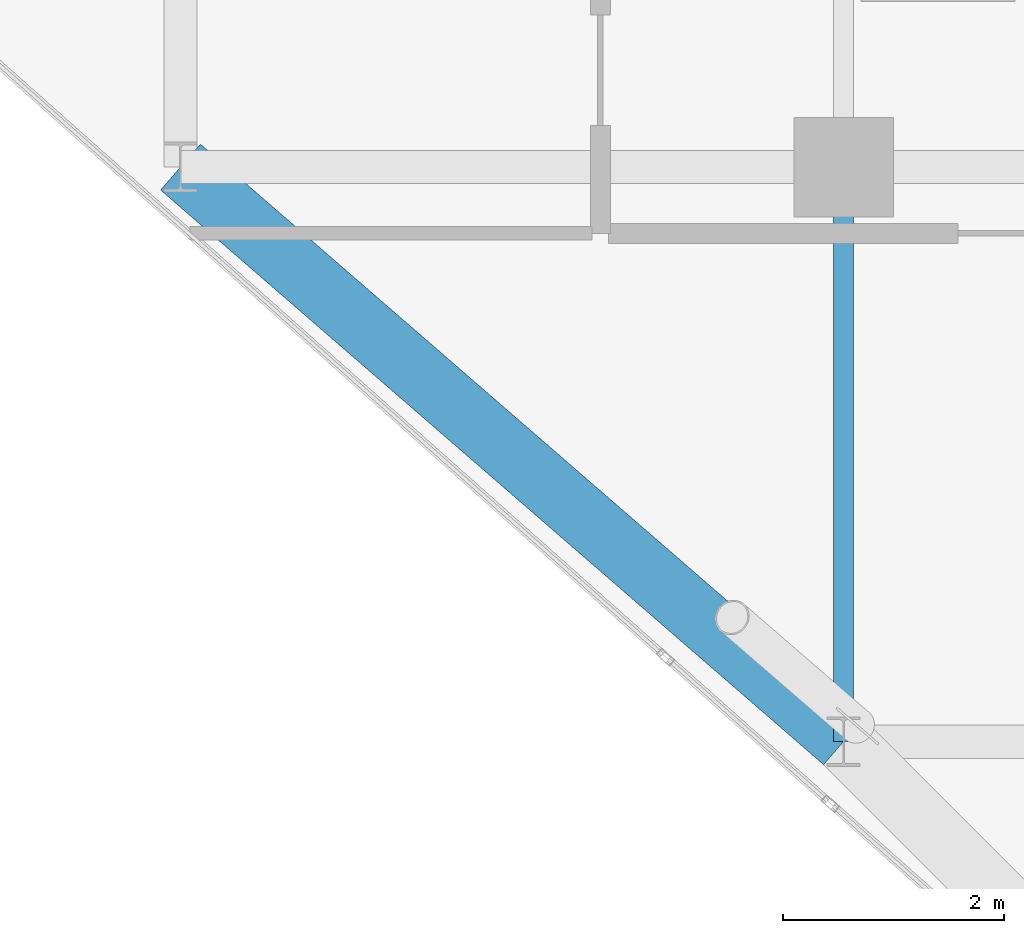
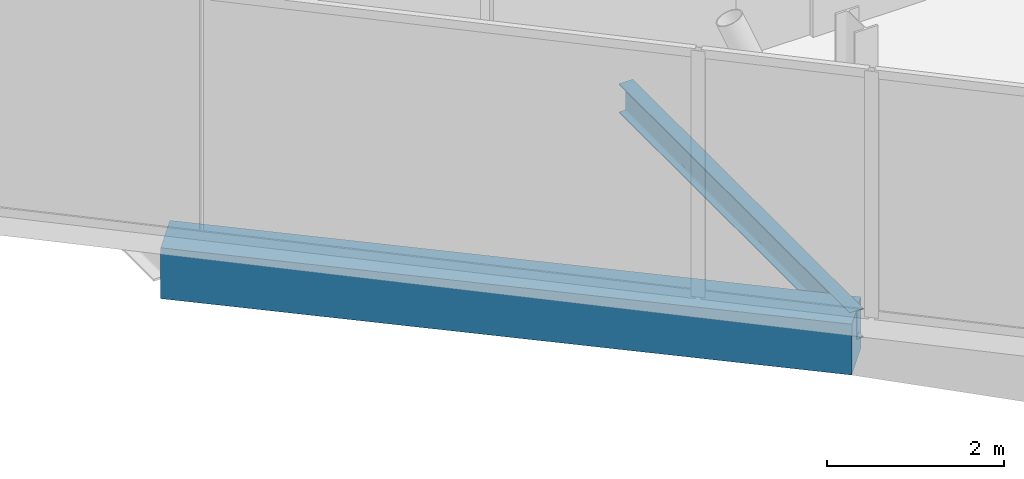
# One storey, part 5 of 29: 2 beams.
"""IFC4 building model written with IfcOpenShell, lengths in metres."""

from ifc_helpers import new_model, si_unit, direction, frame, origin, origin_2d, place, context, subcontext, project, spatial, rectangle, i_section, extrude, material, material_profile, profile_set, type_object, element, save


model = new_model("IFC4")

# Units and contexts
model_context = context("Model", 3, precision=1e-05, world=origin(), true_north=direction((0.0, 1.0)))
body_context = subcontext(model_context, "Body", "Model", "MODEL_VIEW")
ifc_project = project(units=[si_unit("LENGTHUNIT", "METRE"), si_unit("AREAUNIT", "SQUARE_METRE"), si_unit("VOLUMEUNIT", "CUBIC_METRE"), si_unit("PLANEANGLEUNIT", "RADIAN"), si_unit("MASSUNIT", "GRAM", prefix="KILO")], contexts=[model_context])

# Site, building, storey
site_placement = place(None, origin())
site = spatial("IfcSite", under=ifc_project, at=site_placement, CompositionType="ELEMENT")
building_placement = place(site_placement, origin())
building = spatial("IfcBuilding", under=site, at=building_placement, Name="Keshet Zoharim Tower", CompositionType="ELEMENT")
storey_placement = place(building_placement, frame((0.0, 0.0, 169.10009765625)))
storey = spatial("IfcBuildingStorey", under=building, at=storey_placement, Name="L41", CompositionType="ELEMENT", Elevation=169.10009765625)

# Beams
ifc_material_1 = material(Name="Steel S355", Category="steel")
ifc_material_profile_1 = material_profile(ifc_material_1, i_section(OverallWidth=0.179931640625, OverallDepth=0.39990234375, WebThickness=0.008544921875, FlangeThickness=0.013427734375, FilletRadius=0.02099609375, at=origin_2d()), Name="IPE400")
ifc_profile_set_1 = profile_set([ifc_material_profile_1], Name="Steel S355")
beam_type_1 = type_object("IfcBeamType", Name="BM-PRI-IP400", PredefinedType="BEAM", material=ifc_profile_set_1)
beam_1_placement = place(storey_placement, frame((15.0, 12.699951171875, -0.510009765625), z_axis=(0.0, 1.0, 0.0), x_axis=(-1.0, 0.0, 0.0)))
element("IfcBeam", 1, at=beam_1_placement, inside=storey, type_object=beam_type_1, Name="L41 Primary Girder Y-002", PredefinedType="BEAM", context=body_context, shape_type="SweptSolid", body=[
    extrude(i_section(OverallWidth=0.179931640625, OverallDepth=0.39990234375, WebThickness=0.008544921875, FlangeThickness=0.013427734375, FilletRadius=0.02099609375, at=origin_2d()), origin(), (0.0, 0.0, 1.0), 5.199951171875),
])
ifc_material_2 = material(Name="Concrete C50/60", Category="concrete")
ifc_material_profile_2 = material_profile(ifc_material_2, rectangle(XDim=0.550048828125, YDim=0.699951171875, at=origin_2d()), Name="RC700x550")
ifc_profile_set_2 = profile_set([ifc_material_profile_2], Name="Concrete C50/60")
beam_type_2 = type_object("IfcBeamType", Name="BM-SPN-700", PredefinedType="SPANDREL", material=ifc_profile_set_2)
beam_2_placement = place(storey_placement, frame((9.0, 17.89990234375, -0.66015625), z_axis=(0.755692126483, -0.654927026447, 0.0), x_axis=(0.654927026447, 0.755692126483, 0.0)))
element("IfcBeam", 2, at=beam_2_placement, inside=storey, type_object=beam_type_2, Name="L41 Perimeter Spandrel Beam 02", PredefinedType="SPANDREL", context=body_context, shape_type="SweptSolid", body=[
    extrude(rectangle(XDim=0.550048828125, YDim=0.699951171875, at=origin_2d()), origin(), (0.0, 0.0, 1.0), 7.939697265625),
])

save(model, "model.ifc")
